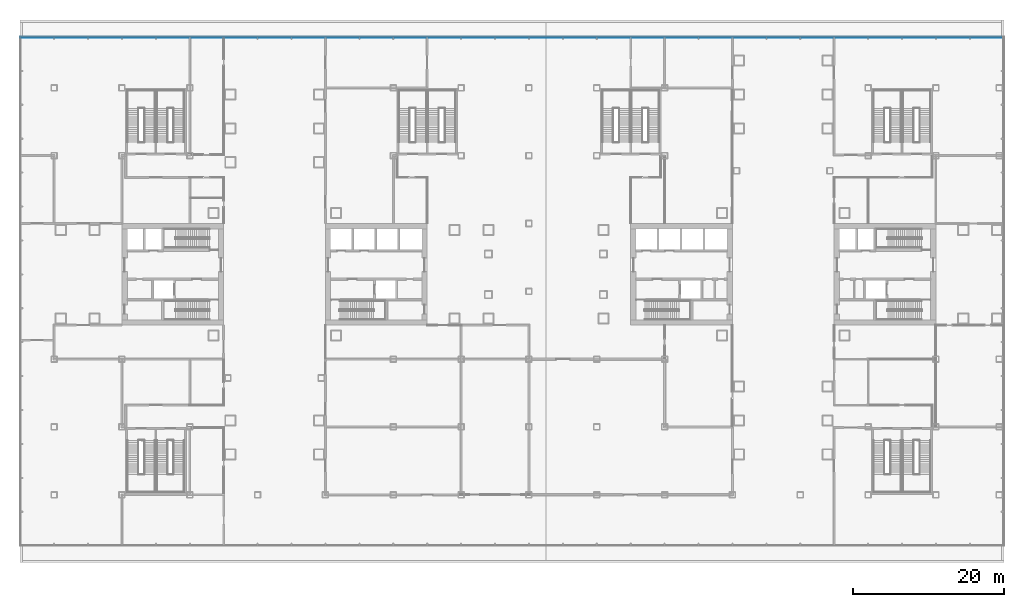
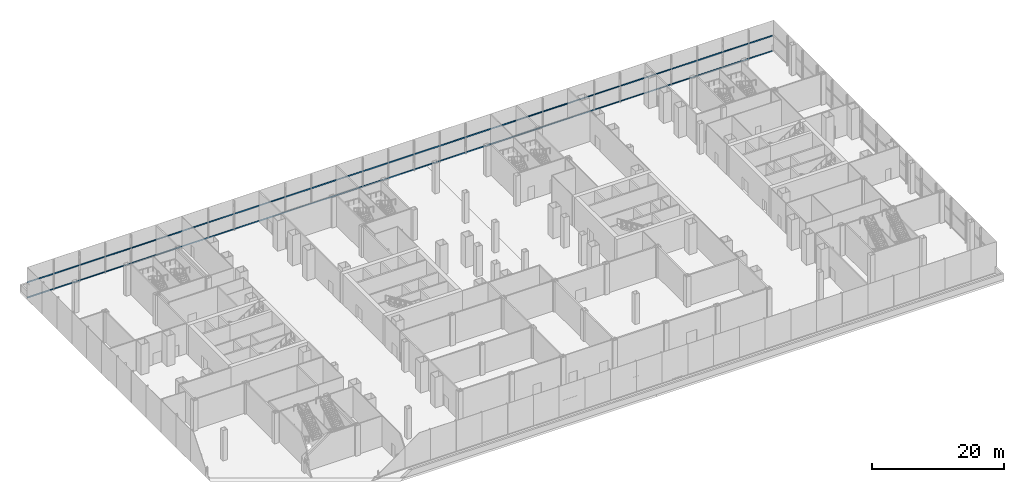
# One storey, part 13 of 38: 2 members, 1 element without a shape of its own.
"""IFC4 building model written with IfcOpenShell, lengths in metres."""

from ifc_helpers import new_model, si_unit, direction, frame, origin, origin_2d, place, context, subcontext, project, spatial, rectangle, extrude, material, layer, layer_set, material_profile, profile_set, type_object, element, aggregate, save


model = new_model("IFC4")

# Units and contexts
model_context = context("Model", 3, precision=1e-05, world=origin(), true_north=direction((0.0, 1.0)))
body_context = subcontext(model_context, "Body", "Model", "MODEL_VIEW")
ifc_project = project(units=[si_unit("LENGTHUNIT", "METRE"), si_unit("AREAUNIT", "SQUARE_METRE"), si_unit("VOLUMEUNIT", "CUBIC_METRE"), si_unit("PLANEANGLEUNIT", "RADIAN"), si_unit("MASSUNIT", "GRAM", prefix="KILO")], contexts=[model_context])

# Site, building, storey
site_placement = place(None, origin())
site = spatial("IfcSite", under=ifc_project, at=site_placement, CompositionType="ELEMENT")
building_placement = place(site_placement, origin())
building = spatial("IfcBuilding", under=site, at=building_placement, Name="Shamsa Quay Exchange Towers", CompositionType="ELEMENT")
storey_placement = place(building_placement, frame((0.0, 0.0, 12.5)))
storey = spatial("IfcBuildingStorey", under=building, at=storey_placement, Name="L02", CompositionType="ELEMENT", Elevation=12.5)

# Curtain wall, members
ifc_material = material(Name="Aluminium EN AW-6063 T6, black anodised", Category="aluminium")
ifc_layer = layer(ifc_material, 0.33203125)
ifc_layer_set = layer_set([ifc_layer], Name="CW-3 PODIUM SHOPFRONT GLAZING")
curtain_wall_type = type_object("IfcCurtainWallType", Name="CW-3 PODIUM SHOPFRONT GLAZING", PredefinedType="NOTDEFINED", material=ifc_layer_set)
curtain_wall_placement = place(storey_placement, origin())
curtain_wall = element("IfcCurtainWall", 1, at=curtain_wall_placement, inside=storey, type_object=curtain_wall_type, Name="CW3 PODIUM-L02-F01", PredefinedType="NOTDEFINED")
ifc_material_profile = material_profile(ifc_material, rectangle(XDim=0.080078125, YDim=0.159912109375, at=origin_2d()), Name="TR160x80")
ifc_profile_set = profile_set([ifc_material_profile], Name="Aluminium EN AW-6063 T6, black anodised")
member_type = type_object("IfcMemberType", Name="CW3 TRANSOM 160x80", PredefinedType="USERDEFINED", material=ifc_profile_set)
member_1_placement = place(storey_placement, frame((62.697998046875, 31.4599609375, 0.080078125), z_axis=(-1.0, 0.0, 0.0), x_axis=(0.0, -1.0, 0.0)))
member_1 = element("IfcMember", 2, at=member_1_placement, type_object=member_type, Name="CW3 transom", ObjectType="TRANSOM", PredefinedType="USERDEFINED", context=body_context, shape_type="SweptSolid", body=[
    extrude(rectangle(XDim=0.080078125, YDim=0.159912109375, at=origin_2d()), origin(), (0.0, 0.0, 1.0), 130.197998046875),
])
member_2_placement = place(storey_placement, frame((62.697998046875, 31.4599609375, 2.905029296875), z_axis=(-1.0, 0.0, 0.0), x_axis=(0.0, -1.0, 0.0)))
member_2 = element("IfcMember", 3, at=member_2_placement, type_object=member_type, Name="CW3 transom", ObjectType="TRANSOM", PredefinedType="USERDEFINED", context=body_context, shape_type="SweptSolid", body=[
    extrude(rectangle(XDim=0.080078125, YDim=0.159912109375, at=origin_2d()), origin(), (0.0, 0.0, 1.0), 130.197998046875),
])
aggregate(curtain_wall, [member_1, member_2])

save(model, "model.ifc")
